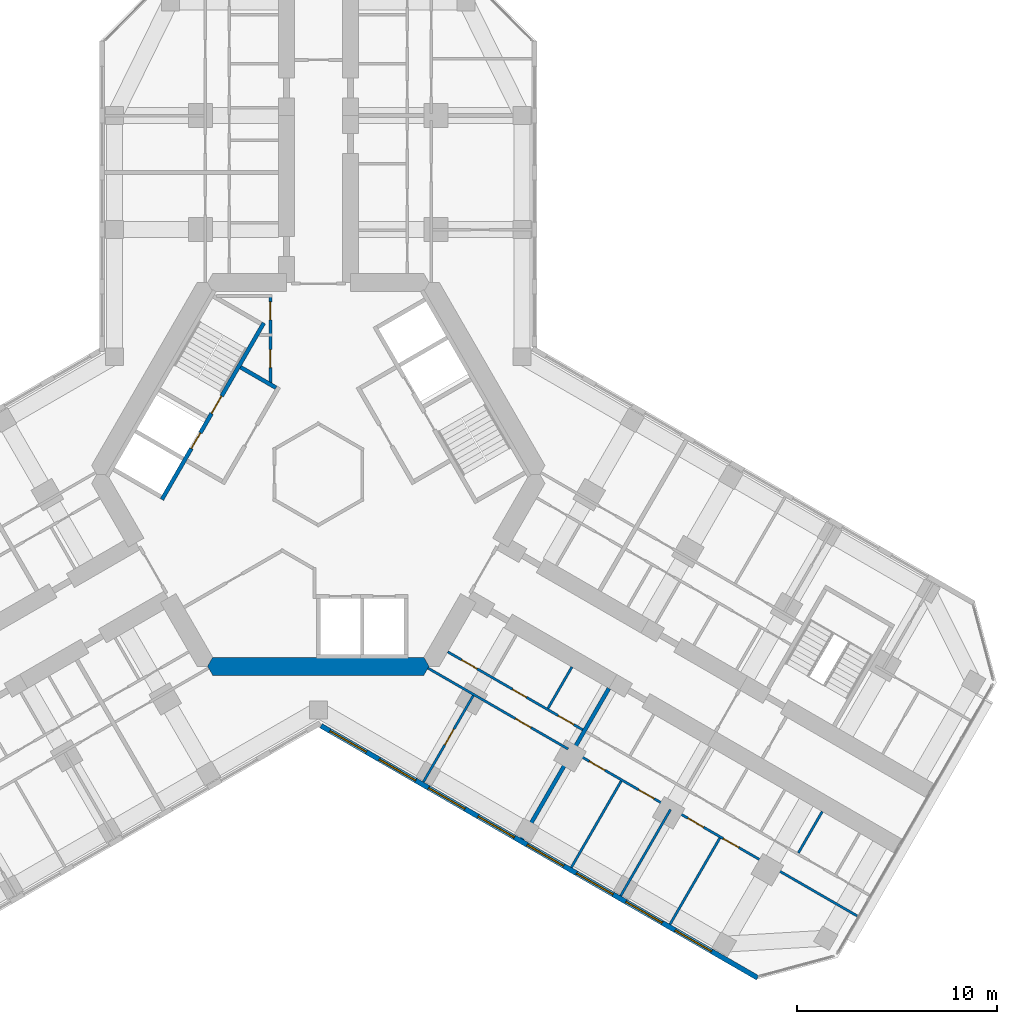
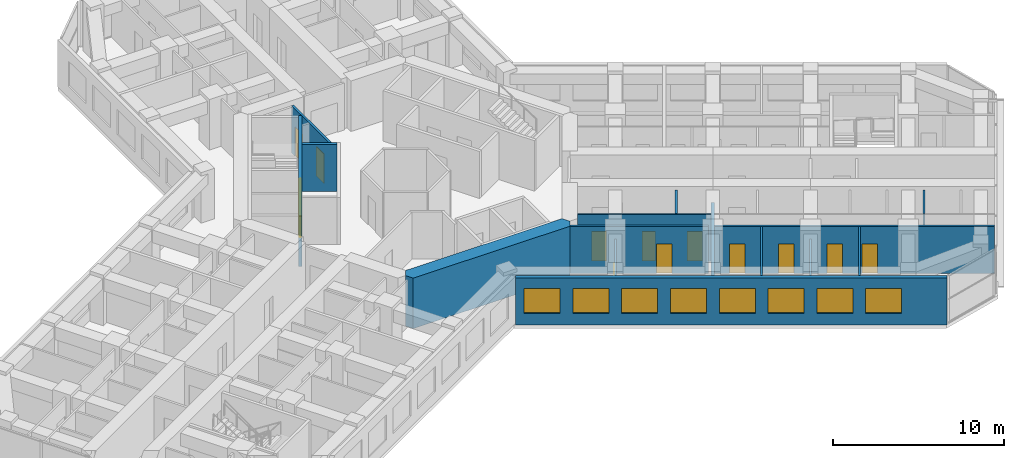
# One storey, part 13 of 19: 15 walls, 13 doors, 8 windows, 21 openings.
"""IFC4 building model written with IfcOpenShell, lengths in metres."""

from ifc_helpers import new_model, si_unit, direction, frame, frame_2d, origin, place, context, subcontext, project, spatial, polyline, rectangle, outline, extrude, material, layer, layer_set, type_object, element, fill, save


model = new_model("IFC4")

# Units and contexts
model_context = context("Model", 3, precision=1e-05, world=origin(), true_north=direction((0.0, 1.0)))
body_context = subcontext(model_context, "Body", "Model", "MODEL_VIEW")
ifc_project = project(units=[si_unit("LENGTHUNIT", "METRE"), si_unit("AREAUNIT", "SQUARE_METRE"), si_unit("VOLUMEUNIT", "CUBIC_METRE"), si_unit("PLANEANGLEUNIT", "RADIAN"), si_unit("MASSUNIT", "GRAM", prefix="KILO")], contexts=[model_context])

# Site, building, storey
site_placement = place(None, origin())
site = spatial("IfcSite", under=ifc_project, at=site_placement, CompositionType="ELEMENT")
building_placement = place(site_placement, origin())
building = spatial("IfcBuilding", under=site, at=building_placement, Name="Kosmar Iwan School Tower", CompositionType="ELEMENT")
storey_placement = place(building_placement, frame((0.0, 0.0, 138.199951171875)))
storey = spatial("IfcBuildingStorey", under=building, at=storey_placement, Name="L34", CompositionType="ELEMENT", Elevation=138.199951171875)

# Wall, openings, doors
ifc_material_1 = material(Name="Gypsum board on steel studs, fire-rated", Category="steel")
ifc_layer_1 = layer(ifc_material_1, 0.14990234375)
ifc_layer_set_1 = layer_set([ifc_layer_1], Name="Core room partition 150")
wall_type_1 = type_object("IfcWallType", Name="Core room partition 150", PredefinedType="PARTITIONING", material=ifc_layer_set_1)
wall_1_placement = place(storey_placement, frame((-2.39990234375, 9.014892578125, 0.0), z_axis=(0.0, 0.0, 1.0), x_axis=(0.0, -1.0, 0.0)))
wall_1 = element("IfcWall", 1, at=wall_1_placement, inside=storey, type_object=wall_type_1, Name="Core room partition L34-CW1", PredefinedType="PARTITIONING", context=body_context, shape_type="SweptSolid", body=[
    extrude(rectangle(XDim=4.484130859375, YDim=0.14990234375, at=frame_2d((2.2421875, 0.0))), origin(), (0.0, 0.0, 1.0), 3.35009765625),
])
opening_1_placement = place(wall_1_placement, frame((0.375, 0.0, 0.0)))
opening_1 = element("IfcOpeningElement", 2, at=opening_1_placement, cuts=wall_1, Name="Opening D14", PredefinedType="OPENING", context=body_context, shape_type="SweptSolid", body=[
    extrude(rectangle(XDim=0.89990234375, YDim=2.10009765625, at=frame_2d((0.449951171875, 1.050048828125))), frame((0.0, 0.0869140625, 0.0), z_axis=(0.0, -1.0, 0.0), x_axis=(1.0, 0.0, 0.0)), (0.0, 0.0, 1.0), 0.173828125),
])
opening_2_placement = place(wall_1_placement, frame((2.77490234375, 0.0, 0.0)))
opening_2 = element("IfcOpeningElement", 3, at=opening_2_placement, cuts=wall_1, Name="Opening D14", PredefinedType="OPENING", context=body_context, shape_type="SweptSolid", body=[
    extrude(rectangle(XDim=0.89990234375, YDim=2.10009765625, at=frame_2d((0.449951171875, 1.050048828125))), frame((0.0, 0.0869140625, 0.0), z_axis=(0.0, -1.0, 0.0), x_axis=(1.0, 0.0, 0.0)), (0.0, 0.0, 1.0), 0.173828125),
])
ifc_material_2 = material(Name="Timber fire door in steel frame", Category="steel")
door_type_1 = type_object("IfcDoorType", Name="Core room door 900x2100", OperationType="SINGLE_SWING_LEFT", PredefinedType="DOOR", material=ifc_material_2)
door_1_placement = place(opening_1_placement, origin())
door_1 = element("IfcDoor", 4, at=door_1_placement, inside=storey, type_object=door_type_1, Name="Electrical riser and switch room door L34 1", OperationType="SINGLE_SWING_LEFT", OverallHeight=2.10009765625, OverallWidth=0.89990234375, PredefinedType="DOOR", context=body_context, shape_type="SweptSolid", body=[
    extrude(rectangle(XDim=0.89990234375, YDim=2.10009765625, at=frame_2d((0.449951171875, 1.050048828125))), frame((0.0, 0.02490234375, 0.0), z_axis=(0.0, -1.0, 0.0), x_axis=(1.0, 0.0, 0.0)), (0.0, 0.0, 1.0), 0.050048828125),
])
fill(opening_1, door_1)
door_2_placement = place(opening_2_placement, origin())
door_2 = element("IfcDoor", 5, at=door_2_placement, inside=storey, type_object=door_type_1, Name="Plumbing and wet riser door L34 2", OperationType="SINGLE_SWING_RIGHT", OverallHeight=2.10009765625, OverallWidth=0.89990234375, PredefinedType="DOOR", context=body_context, shape_type="SweptSolid", body=[
    extrude(rectangle(XDim=0.89990234375, YDim=2.10009765625, at=frame_2d((0.449951171875, 1.050048828125))), frame((0.0, 0.02490234375, 0.0), z_axis=(0.0, -1.0, 0.0), x_axis=(1.0, 0.0, 0.0)), (0.0, 0.0, 1.0), 0.050048828125),
])
fill(opening_2, door_2)

# Wall
ifc_material_3 = material(Name="Concrete C50/60", Category="concrete")
ifc_layer_2 = layer(ifc_material_3, 0.89990234375)
ifc_layer_set_2 = layer_set([ifc_layer_2], Name="Core wall 900")
wall_type_2 = type_object("IfcWallType", Name="Core wall 900", PredefinedType="SHEAR", material=ifc_layer_set_2)
wall_2_placement = place(storey_placement, origin())
element("IfcWall", 6, at=wall_2_placement, inside=storey, type_object=wall_type_2, Name="Core wall F270", PredefinedType="SHEAR", context=body_context, shape_type="SweptSolid", body=[
    extrude(outline(polyline([(-5.28271484375, -10.050048828125), (5.28271484375, -10.050048828125), (5.54248046875, -9.60009765625), (5.28271484375, -9.14990234375), (-5.28271484375, -9.14990234375), (-5.54248046875, -9.60009765625), (-5.28271484375, -10.050048828125)])), origin(), (0.0, 0.0, 1.0), 3.60009765625),
])

# Wall, openings, doors
ifc_material_4 = material(Name="Gypsum board on steel studs", Category="steel")
ifc_layer_3 = layer(ifc_material_4, 0.1201171875)
ifc_layer_set_3 = layer_set([ifc_layer_3], Name="Dwelling partition 120")
wall_type_3 = type_object("IfcWallType", Name="Dwelling partition 120", PredefinedType="PARTITIONING", material=ifc_layer_set_3)
wall_3_placement = place(storey_placement, frame((6.478515625, -8.87890625, 0.0), z_axis=(0.0, 0.0, 1.0), x_axis=(0.866034953203, -0.499983459557, 0.0)))
wall_3 = element("IfcWall", 7, at=wall_3_placement, inside=storey, type_object=wall_type_3, Name="Partition L34-CR1-W1", PredefinedType="PARTITIONING", context=body_context, shape_type="SweptSolid", body=[
    extrude(rectangle(XDim=7.800048828125, YDim=0.1201171875, at=frame_2d((3.89990234375, 0.0))), origin(), (0.0, 0.0, 1.0), 3.35009765625),
])
opening_3_placement = place(wall_3_placement, frame((0.800048828125, 0.0, 0.0)))
opening_3 = element("IfcOpeningElement", 8, at=opening_3_placement, cuts=wall_3, Name="Opening D2", PredefinedType="OPENING", context=body_context, shape_type="SweptSolid", body=[
    extrude(rectangle(XDim=0.89990234375, YDim=2.10009765625, at=frame_2d((0.449951171875, 1.050048828125))), frame((0.0, 0.072021484375, 0.0), z_axis=(0.0, -1.0, 0.0), x_axis=(1.0, 0.0, 0.0)), (0.0, 0.0, 1.0), 0.14404296875),
])
opening_4_placement = place(wall_3_placement, frame((3.755126953125, 0.0, 0.0)))
opening_4 = element("IfcOpeningElement", 9, at=opening_4_placement, cuts=wall_3, Name="Opening D3", PredefinedType="OPENING", context=body_context, shape_type="SweptSolid", body=[
    extrude(rectangle(XDim=0.800048828125, YDim=2.10009765625, at=frame_2d((0.39990234375, 1.050048828125))), frame((0.0, 0.072021484375, 0.0), z_axis=(0.0, -1.0, 0.0), x_axis=(1.0, 0.0, 0.0)), (0.0, 0.0, 1.0), 0.14404296875),
])
opening_5_placement = place(wall_3_placement, frame((6.380126953125, 0.0, 0.0)))
opening_5 = element("IfcOpeningElement", 10, at=opening_5_placement, cuts=wall_3, Name="Opening D2", PredefinedType="OPENING", context=body_context, shape_type="SweptSolid", body=[
    extrude(rectangle(XDim=0.89990234375, YDim=2.10009765625, at=frame_2d((0.449951171875, 1.050048828125))), frame((0.0, 0.072021484375, 0.0), z_axis=(0.0, -1.0, 0.0), x_axis=(1.0, 0.0, 0.0)), (0.0, 0.0, 1.0), 0.14404296875),
])
ifc_material_5 = material(Name="Timber door in timber frame", Category="wood")
door_type_2 = type_object("IfcDoorType", Name="Internal door 900x2100", OperationType="SINGLE_SWING_LEFT", PredefinedType="DOOR", material=ifc_material_5)
door_3_placement = place(opening_3_placement, origin())
door_3 = element("IfcDoor", 11, at=door_3_placement, inside=storey, type_object=door_type_2, Name="Entrance hall door L34-CR1-S1", OperationType="SINGLE_SWING_LEFT", OverallHeight=2.10009765625, OverallWidth=0.89990234375, PredefinedType="DOOR", context=body_context, shape_type="SweptSolid", body=[
    extrude(rectangle(XDim=0.89990234375, YDim=2.10009765625, at=frame_2d((0.449951171875, 1.050048828125))), frame((0.0, 0.02490234375, 0.0), z_axis=(0.0, -1.0, 0.0), x_axis=(1.0, 0.0, 0.0)), (0.0, 0.0, 1.0), 0.050048828125),
])
fill(opening_3, door_3)
door_4_placement = place(opening_5_placement, origin())
door_4 = element("IfcDoor", 12, at=door_4_placement, inside=storey, type_object=door_type_2, Name="Pantry door L34-CR1-S3", OperationType="SINGLE_SWING_RIGHT", OverallHeight=2.10009765625, OverallWidth=0.89990234375, PredefinedType="DOOR", context=body_context, shape_type="SweptSolid", body=[
    extrude(rectangle(XDim=0.89990234375, YDim=2.10009765625, at=frame_2d((0.449951171875, 1.050048828125))), frame((0.0, 0.02490234375, 0.0), z_axis=(0.0, -1.0, 0.0), x_axis=(1.0, 0.0, 0.0)), (0.0, 0.0, 1.0), 0.050048828125),
])
fill(opening_5, door_4)
ifc_material_6 = material(Name="Timber door in timber frame", Category="wood")
door_type_3 = type_object("IfcDoorType", Name="Sanitary room door 800x2100", OperationType="SINGLE_SWING_LEFT", PredefinedType="DOOR", material=ifc_material_6)
door_5_placement = place(opening_4_placement, origin())
door_5 = element("IfcDoor", 13, at=door_5_placement, inside=storey, type_object=door_type_3, Name="Bathroom door L34-CR1-S2", OperationType="SINGLE_SWING_RIGHT", OverallHeight=2.10009765625, OverallWidth=0.800048828125, PredefinedType="DOOR", context=body_context, shape_type="SweptSolid", body=[
    extrude(rectangle(XDim=0.800048828125, YDim=2.10009765625, at=frame_2d((0.39990234375, 1.050048828125))), frame((0.0, 0.02490234375, 0.0), z_axis=(0.0, -1.0, 0.0), x_axis=(1.0, 0.0, 0.0)), (0.0, 0.0, 1.0), 0.050048828125),
])
fill(opening_4, door_5)

# Wall, opening, door
wall_4_placement = place(storey_placement, frame((5.48876953125, -9.693115234375, 0.0), z_axis=(0.0, 0.0, 1.0), x_axis=(0.866025472755, -0.499999880539, 0.0)))
wall_4 = element("IfcWall", 14, at=wall_4_placement, inside=storey, type_object=wall_type_3, Name="Partition L34-CR1-W2", PredefinedType="PARTITIONING", context=body_context, shape_type="SweptSolid", body=[
    extrude(rectangle(XDim=8.10009765625, YDim=0.1201171875, at=frame_2d((4.050048828125, 0.0))), origin(), (0.0, 0.0, 1.0), 3.35009765625),
])
opening_6_placement = place(wall_4_placement, frame((5.050048828125, 0.0, 0.0)))
opening_6 = element("IfcOpeningElement", 15, at=opening_6_placement, cuts=wall_4, Name="Opening D2", PredefinedType="OPENING", context=body_context, shape_type="SweptSolid", body=[
    extrude(rectangle(XDim=0.89990234375, YDim=2.10009765625, at=frame_2d((0.449951171875, 1.050048828125))), frame((0.0, 0.072021484375, 0.0), z_axis=(0.0, -1.0, 0.0), x_axis=(1.0, 0.0, 0.0)), (0.0, 0.0, 1.0), 0.14404296875),
])
door_6_placement = place(opening_6_placement, origin())
door_6 = element("IfcDoor", 16, at=door_6_placement, inside=storey, type_object=door_type_2, Name="Studio living room door L34-CR1-F2", OperationType="SINGLE_SWING_RIGHT", OverallHeight=2.10009765625, OverallWidth=0.89990234375, PredefinedType="DOOR", context=body_context, shape_type="SweptSolid", body=[
    extrude(rectangle(XDim=0.89990234375, YDim=2.10009765625, at=frame_2d((0.449951171875, 1.050048828125))), frame((0.0, 0.02490234375, 0.0), z_axis=(0.0, -1.0, 0.0), x_axis=(1.0, 0.0, 0.0)), (0.0, 0.0, 1.0), 0.050048828125),
])
fill(opening_6, door_6)

wall_5_placement = place(storey_placement, frame((7.75390625, -11.070068359375, 0.0), z_axis=(0.0, 0.0, 1.0), x_axis=(-0.500011847778, -0.866018563358, 0.0)))
wall_5 = element("IfcWall", 17, at=wall_5_placement, inside=storey, type_object=wall_type_3, Name="Partition L34-CR1-X1", PredefinedType="PARTITIONING", context=body_context, shape_type="SweptSolid", body=[
    extrude(rectangle(XDim=4.990234375, YDim=0.1201171875, at=frame_2d((2.4951171875, 0.0))), origin(), (0.0, 0.0, 1.0), 2.449951171875),
])
opening_7_placement = place(wall_5_placement, frame((1.93994140625, 0.0, 0.0)))
opening_7 = element("IfcOpeningElement", 18, at=opening_7_placement, cuts=wall_5, Name="Opening D2", PredefinedType="OPENING", context=body_context, shape_type="SweptSolid", body=[
    extrude(rectangle(XDim=0.89990234375, YDim=2.10009765625, at=frame_2d((0.449951171875, 1.050048828125))), frame((0.0, 0.072021484375, 0.0), z_axis=(0.0, -1.0, 0.0), x_axis=(1.0, 0.0, 0.0)), (0.0, 0.0, 1.0), 0.14404296875),
])
door_7_placement = place(opening_7_placement, origin())
door_7 = element("IfcDoor", 19, at=door_7_placement, inside=storey, type_object=door_type_2, Name="Kitchen and dining room door L34-CR1-F1", OperationType="SINGLE_SWING_LEFT", OverallHeight=2.10009765625, OverallWidth=0.89990234375, PredefinedType="DOOR", context=body_context, shape_type="SweptSolid", body=[
    extrude(rectangle(XDim=0.89990234375, YDim=2.10009765625, at=frame_2d((0.449951171875, 1.050048828125))), frame((0.0, 0.02490234375, 0.0), z_axis=(0.0, -1.0, 0.0), x_axis=(1.0, 0.0, 0.0)), (0.0, 0.0, 1.0), 0.050048828125),
])
fill(opening_7, door_7)

# Wall
wall_6_placement = place(storey_placement, frame((12.69189453125, -9.636962890625, 0.0), z_axis=(0.0, 0.0, 1.0), x_axis=(-0.500017192868, -0.86601547725, 0.0)))
element("IfcWall", 20, at=wall_6_placement, inside=storey, type_object=wall_type_3, Name="Partition L34-CR1-Y2", PredefinedType="PARTITIONING", context=body_context, shape_type="SweptSolid", body=[
    extrude(rectangle(XDim=2.39013671875, YDim=0.1201171875, at=frame_2d((1.195068359375, 0.0))), origin(), (0.0, 0.0, 1.0), 3.35009765625),
])

# Wall, openings, doors
wall_7_placement = place(storey_placement, frame((12.806640625, -13.91796875, 0.0), z_axis=(0.0, 0.0, 1.0), x_axis=(0.866023907196, -0.500002592159, 0.0)))
wall_7 = element("IfcWall", 21, at=wall_7_placement, inside=storey, type_object=wall_type_3, Name="Partition L34-CR2-W2", PredefinedType="PARTITIONING", context=body_context, shape_type="SweptSolid", body=[
    extrude(rectangle(XDim=16.34521484375, YDim=0.1201171875, at=frame_2d((8.172607421875, 0.0))), origin(), (0.0, 0.0, 1.0), 3.35009765625),
])
opening_8_placement = place(wall_7_placement, frame((0.875, 0.0, 0.0)))
opening_8 = element("IfcOpeningElement", 22, at=opening_8_placement, cuts=wall_7, Name="Opening D2", PredefinedType="OPENING", context=body_context, shape_type="SweptSolid", body=[
    extrude(rectangle(XDim=0.89990234375, YDim=2.10009765625, at=frame_2d((0.449951171875, 1.050048828125))), frame((0.0, 0.072021484375, 0.0), z_axis=(0.0, -1.0, 0.0), x_axis=(1.0, 0.0, 0.0)), (0.0, 0.0, 1.0), 0.14404296875),
])
opening_9_placement = place(wall_7_placement, frame((3.72509765625, 0.0, 0.0)))
opening_9 = element("IfcOpeningElement", 23, at=opening_9_placement, cuts=wall_7, Name="Opening D2", PredefinedType="OPENING", context=body_context, shape_type="SweptSolid", body=[
    extrude(rectangle(XDim=0.89990234375, YDim=2.10009765625, at=frame_2d((0.449951171875, 1.050048828125))), frame((0.0, 0.072021484375, 0.0), z_axis=(0.0, -1.0, 0.0), x_axis=(1.0, 0.0, 0.0)), (0.0, 0.0, 1.0), 0.14404296875),
])
opening_10_placement = place(wall_7_placement, frame((6.574951171875, 0.0, 0.0)))
opening_10 = element("IfcOpeningElement", 24, at=opening_10_placement, cuts=wall_7, Name="Opening D2", PredefinedType="OPENING", context=body_context, shape_type="SweptSolid", body=[
    extrude(rectangle(XDim=0.89990234375, YDim=2.10009765625, at=frame_2d((0.449951171875, 1.050048828125))), frame((0.0, 0.072021484375, 0.0), z_axis=(0.0, -1.0, 0.0), x_axis=(1.0, 0.0, 0.0)), (0.0, 0.0, 1.0), 0.14404296875),
])
opening_11_placement = place(wall_7_placement, frame((8.610107421875, 0.0, 0.0)))
opening_11 = element("IfcOpeningElement", 25, at=opening_11_placement, cuts=wall_7, Name="Opening D2", PredefinedType="OPENING", context=body_context, shape_type="SweptSolid", body=[
    extrude(rectangle(XDim=0.89990234375, YDim=2.10009765625, at=frame_2d((0.449951171875, 1.050048828125))), frame((0.0, 0.072021484375, 0.0), z_axis=(0.0, -1.0, 0.0), x_axis=(1.0, 0.0, 0.0)), (0.0, 0.0, 1.0), 0.14404296875),
])
door_8_placement = place(opening_8_placement, origin())
door_8 = element("IfcDoor", 26, at=door_8_placement, inside=storey, type_object=door_type_2, Name="Bedroom 1 door L34-CR2-F1", OperationType="SINGLE_SWING_LEFT", OverallHeight=2.10009765625, OverallWidth=0.89990234375, PredefinedType="DOOR", context=body_context, shape_type="SweptSolid", body=[
    extrude(rectangle(XDim=0.89990234375, YDim=2.10009765625, at=frame_2d((0.449951171875, 1.050048828125))), frame((0.0, 0.02490234375, 0.0), z_axis=(0.0, -1.0, 0.0), x_axis=(1.0, 0.0, 0.0)), (0.0, 0.0, 1.0), 0.050048828125),
])
fill(opening_8, door_8)
door_9_placement = place(opening_9_placement, origin())
door_9 = element("IfcDoor", 27, at=door_9_placement, inside=storey, type_object=door_type_2, Name="Kitchen and dining room door L34-CR2-F2", OperationType="SINGLE_SWING_LEFT", OverallHeight=2.10009765625, OverallWidth=0.89990234375, PredefinedType="DOOR", context=body_context, shape_type="SweptSolid", body=[
    extrude(rectangle(XDim=0.89990234375, YDim=2.10009765625, at=frame_2d((0.449951171875, 1.050048828125))), frame((0.0, 0.02490234375, 0.0), z_axis=(0.0, -1.0, 0.0), x_axis=(1.0, 0.0, 0.0)), (0.0, 0.0, 1.0), 0.050048828125),
])
fill(opening_9, door_9)
door_10_placement = place(opening_10_placement, origin())
door_10 = element("IfcDoor", 28, at=door_10_placement, inside=storey, type_object=door_type_2, Name="Guest reception room door L34-CR2-F3", OperationType="SINGLE_SWING_LEFT", OverallHeight=2.10009765625, OverallWidth=0.89990234375, PredefinedType="DOOR", context=body_context, shape_type="SweptSolid", body=[
    extrude(rectangle(XDim=0.89990234375, YDim=2.10009765625, at=frame_2d((0.449951171875, 1.050048828125))), frame((0.0, 0.02490234375, 0.0), z_axis=(0.0, -1.0, 0.0), x_axis=(1.0, 0.0, 0.0)), (0.0, 0.0, 1.0), 0.050048828125),
])
fill(opening_10, door_10)
door_11_placement = place(opening_11_placement, origin())
door_11 = element("IfcDoor", 29, at=door_11_placement, inside=storey, type_object=door_type_2, Name="Living room door L34-CR2-F4", OperationType="SINGLE_SWING_RIGHT", OverallHeight=2.10009765625, OverallWidth=0.89990234375, PredefinedType="DOOR", context=body_context, shape_type="SweptSolid", body=[
    extrude(rectangle(XDim=0.89990234375, YDim=2.10009765625, at=frame_2d((0.449951171875, 1.050048828125))), frame((0.0, 0.02490234375, 0.0), z_axis=(0.0, -1.0, 0.0), x_axis=(1.0, 0.0, 0.0)), (0.0, 0.0, 1.0), 0.050048828125),
])
fill(opening_11, door_11)

# Walls
wall_8_placement = place(storey_placement, frame((15.158447265625, -15.344970703125, 0.0), z_axis=(0.0, 0.0, 1.0), x_axis=(-0.500011847778, -0.866018563358, 0.0)))
element("IfcWall", 30, at=wall_8_placement, inside=storey, type_object=wall_type_3, Name="Partition L34-CR2-X1", PredefinedType="PARTITIONING", context=body_context, shape_type="SweptSolid", body=[
    extrude(rectangle(XDim=4.990234375, YDim=0.1201171875, at=frame_2d((2.4951171875, 0.0))), origin(), (0.0, 0.0, 1.0), 3.35009765625),
])
wall_9_placement = place(storey_placement, frame((17.62646484375, -16.77001953125, 0.0), z_axis=(0.0, 0.0, 1.0), x_axis=(-0.499975153383, -0.86603974851, 0.0)))
element("IfcWall", 31, at=wall_9_placement, inside=storey, type_object=wall_type_3, Name="Partition L34-CR2-X2", PredefinedType="PARTITIONING", context=body_context, shape_type="SweptSolid", body=[
    extrude(rectangle(XDim=4.989990234375, YDim=0.1201171875, at=frame_2d((2.4951171875, 0.0))), origin(), (0.0, 0.0, 1.0), 2.449951171875),
])
wall_10_placement = place(storey_placement, frame((20.0947265625, -18.195068359375, 0.0), z_axis=(0.0, 0.0, 1.0), x_axis=(-0.500011847778, -0.866018563358, 0.0)))
element("IfcWall", 32, at=wall_10_placement, inside=storey, type_object=wall_type_3, Name="Partition L34-CR2-X3", PredefinedType="PARTITIONING", context=body_context, shape_type="SweptSolid", body=[
    extrude(rectangle(XDim=4.990234375, YDim=0.1201171875, at=frame_2d((2.4951171875, 0.0))), origin(), (0.0, 0.0, 1.0), 3.35009765625),
])
wall_11_placement = place(storey_placement, frame((25.220703125, -16.87060546875, 0.0), z_axis=(0.0, 0.0, 1.0), x_axis=(-0.500017192868, -0.86601547725, 0.0)))
element("IfcWall", 33, at=wall_11_placement, inside=storey, type_object=wall_type_3, Name="Partition L34-CR2-Y5", PredefinedType="PARTITIONING", context=body_context, shape_type="SweptSolid", body=[
    extrude(rectangle(XDim=2.39013671875, YDim=0.1201171875, at=frame_2d((1.195068359375, 0.0))), origin(), (0.0, 0.0, 1.0), 3.35009765625),
])

# Wall, openings, windows
ifc_material_7 = material(Name="Black aluminium rainscreen on insulated framing", Category="aluminium")
ifc_layer_4 = layer(ifc_material_7, 0.25)
ifc_layer_set_4 = layer_set([ifc_layer_4], Name="External wall rainscreen 250")
wall_type_4 = type_object("IfcWallType", Name="External wall rainscreen 250", PredefinedType="SOLIDWALL", material=ifc_layer_set_4)
wall_12_placement = place(storey_placement, frame((0.137939453125, -12.5791015625, 0.0), z_axis=(0.0, 0.0, 1.0), x_axis=(0.866023775649, -0.500002820003, 0.0)))
wall_12 = element("IfcWall", 34, at=wall_12_placement, inside=storey, type_object=wall_type_4, Name="External wall CR L34", PredefinedType="SOLIDWALL", context=body_context, shape_type="SweptSolid", body=[
    extrude(rectangle(XDim=25.226318359375, YDim=0.25, at=frame_2d((12.61328125, 0.0))), origin(), (0.0, 0.0, 1.0), 3.35009765625),
])
opening_12_placement = place(wall_12_placement, frame((0.51611328125, 0.0, 0.800048828125)))
opening_12 = element("IfcOpeningElement", 35, at=opening_12_placement, cuts=wall_12, Name="Opening W4", PredefinedType="OPENING", context=body_context, shape_type="SweptSolid", body=[
    extrude(rectangle(XDim=2.10009765625, YDim=1.800048828125, at=frame_2d((1.050048828125, 0.89990234375))), frame((0.0, 0.136962890625, 0.0), z_axis=(0.0, -1.0, 0.0), x_axis=(1.0, 0.0, 0.0)), (0.0, 0.0, 1.0), 0.27392578125),
])
opening_13_placement = place(wall_12_placement, frame((3.365966796875, 0.0, 0.800048828125)))
opening_13 = element("IfcOpeningElement", 36, at=opening_13_placement, cuts=wall_12, Name="Opening W4", PredefinedType="OPENING", context=body_context, shape_type="SweptSolid", body=[
    extrude(rectangle(XDim=2.10009765625, YDim=1.800048828125, at=frame_2d((1.050048828125, 0.89990234375))), frame((0.0, 0.136962890625, 0.0), z_axis=(0.0, -1.0, 0.0), x_axis=(1.0, 0.0, 0.0)), (0.0, 0.0, 1.0), 0.27392578125),
])
opening_14_placement = place(wall_12_placement, frame((6.216064453125, 0.0, 0.800048828125)))
opening_14 = element("IfcOpeningElement", 37, at=opening_14_placement, cuts=wall_12, Name="Opening W4", PredefinedType="OPENING", context=body_context, shape_type="SweptSolid", body=[
    extrude(rectangle(XDim=2.10009765625, YDim=1.800048828125, at=frame_2d((1.050048828125, 0.89990234375))), frame((0.0, 0.136962890625, 0.0), z_axis=(0.0, -1.0, 0.0), x_axis=(1.0, 0.0, 0.0)), (0.0, 0.0, 1.0), 0.27392578125),
])
opening_15_placement = place(wall_12_placement, frame((9.06591796875, 0.0, 0.800048828125)))
opening_15 = element("IfcOpeningElement", 38, at=opening_15_placement, cuts=wall_12, Name="Opening W4", PredefinedType="OPENING", context=body_context, shape_type="SweptSolid", body=[
    extrude(rectangle(XDim=2.10009765625, YDim=1.800048828125, at=frame_2d((1.050048828125, 0.89990234375))), frame((0.0, 0.136962890625, 0.0), z_axis=(0.0, -1.0, 0.0), x_axis=(1.0, 0.0, 0.0)), (0.0, 0.0, 1.0), 0.27392578125),
])
opening_16_placement = place(wall_12_placement, frame((11.916015625, 0.0, 0.800048828125)))
opening_16 = element("IfcOpeningElement", 39, at=opening_16_placement, cuts=wall_12, Name="Opening W4", PredefinedType="OPENING", context=body_context, shape_type="SweptSolid", body=[
    extrude(rectangle(XDim=2.10009765625, YDim=1.800048828125, at=frame_2d((1.050048828125, 0.89990234375))), frame((0.0, 0.136962890625, 0.0), z_axis=(0.0, -1.0, 0.0), x_axis=(1.0, 0.0, 0.0)), (0.0, 0.0, 1.0), 0.27392578125),
])
opening_17_placement = place(wall_12_placement, frame((14.76611328125, 0.0, 0.800048828125)))
opening_17 = element("IfcOpeningElement", 40, at=opening_17_placement, cuts=wall_12, Name="Opening W4", PredefinedType="OPENING", context=body_context, shape_type="SweptSolid", body=[
    extrude(rectangle(XDim=2.10009765625, YDim=1.800048828125, at=frame_2d((1.050048828125, 0.89990234375))), frame((0.0, 0.136962890625, 0.0), z_axis=(0.0, -1.0, 0.0), x_axis=(1.0, 0.0, 0.0)), (0.0, 0.0, 1.0), 0.27392578125),
])
opening_18_placement = place(wall_12_placement, frame((17.615966796875, 0.0, 0.800048828125)))
opening_18 = element("IfcOpeningElement", 41, at=opening_18_placement, cuts=wall_12, Name="Opening W4", PredefinedType="OPENING", context=body_context, shape_type="SweptSolid", body=[
    extrude(rectangle(XDim=2.10009765625, YDim=1.800048828125, at=frame_2d((1.050048828125, 0.89990234375))), frame((0.0, 0.136962890625, 0.0), z_axis=(0.0, -1.0, 0.0), x_axis=(1.0, 0.0, 0.0)), (0.0, 0.0, 1.0), 0.27392578125),
])
opening_19_placement = place(wall_12_placement, frame((20.466064453125, 0.0, 0.800048828125)))
opening_19 = element("IfcOpeningElement", 42, at=opening_19_placement, cuts=wall_12, Name="Opening W4", PredefinedType="OPENING", context=body_context, shape_type="SweptSolid", body=[
    extrude(rectangle(XDim=2.10009765625, YDim=1.800048828125, at=frame_2d((1.050048828125, 0.89990234375))), frame((0.0, 0.136962890625, 0.0), z_axis=(0.0, -1.0, 0.0), x_axis=(1.0, 0.0, 0.0)), (0.0, 0.0, 1.0), 0.27392578125),
])
ifc_material_8 = material(Name="Black aluminium frame with dark triple glazing", Category="aluminium")
window_type = type_object("IfcWindowType", Name="Window 2100x1800", PartitioningType="SINGLE_PANEL", PredefinedType="WINDOW", material=ifc_material_8)
window_1_placement = place(opening_12_placement, origin())
window_1 = element("IfcWindow", 43, at=window_1_placement, inside=storey, type_object=window_type, Name="Window CR L34 -1", OverallHeight=1.800048828125, OverallWidth=2.10009765625, PartitioningType="SINGLE_PANEL", PredefinedType="WINDOW", context=body_context, shape_type="SweptSolid", body=[
    extrude(rectangle(XDim=2.10009765625, YDim=1.800048828125, at=frame_2d((1.050048828125, 0.89990234375))), frame((0.0, 0.030029296875, 0.0), z_axis=(0.0, -1.0, 0.0), x_axis=(1.0, 0.0, 0.0)), (0.0, 0.0, 1.0), 0.06005859375),
])
fill(opening_12, window_1)
window_2_placement = place(opening_13_placement, origin())
window_2 = element("IfcWindow", 44, at=window_2_placement, inside=storey, type_object=window_type, Name="Window CR L34 0", OverallHeight=1.800048828125, OverallWidth=2.10009765625, PartitioningType="SINGLE_PANEL", PredefinedType="WINDOW", context=body_context, shape_type="SweptSolid", body=[
    extrude(rectangle(XDim=2.10009765625, YDim=1.800048828125, at=frame_2d((1.050048828125, 0.89990234375))), frame((0.0, 0.030029296875, 0.0), z_axis=(0.0, -1.0, 0.0), x_axis=(1.0, 0.0, 0.0)), (0.0, 0.0, 1.0), 0.06005859375),
])
fill(opening_13, window_2)
window_3_placement = place(opening_14_placement, origin())
window_3 = element("IfcWindow", 45, at=window_3_placement, inside=storey, type_object=window_type, Name="Window CR L34 1", OverallHeight=1.800048828125, OverallWidth=2.10009765625, PartitioningType="SINGLE_PANEL", PredefinedType="WINDOW", context=body_context, shape_type="SweptSolid", body=[
    extrude(rectangle(XDim=2.10009765625, YDim=1.800048828125, at=frame_2d((1.050048828125, 0.89990234375))), frame((0.0, 0.030029296875, 0.0), z_axis=(0.0, -1.0, 0.0), x_axis=(1.0, 0.0, 0.0)), (0.0, 0.0, 1.0), 0.06005859375),
])
fill(opening_14, window_3)
window_4_placement = place(opening_15_placement, origin())
window_4 = element("IfcWindow", 46, at=window_4_placement, inside=storey, type_object=window_type, Name="Window CR L34 2", OverallHeight=1.800048828125, OverallWidth=2.10009765625, PartitioningType="SINGLE_PANEL", PredefinedType="WINDOW", context=body_context, shape_type="SweptSolid", body=[
    extrude(rectangle(XDim=2.10009765625, YDim=1.800048828125, at=frame_2d((1.050048828125, 0.89990234375))), frame((0.0, 0.030029296875, 0.0), z_axis=(0.0, -1.0, 0.0), x_axis=(1.0, 0.0, 0.0)), (0.0, 0.0, 1.0), 0.06005859375),
])
fill(opening_15, window_4)
window_5_placement = place(opening_16_placement, origin())
window_5 = element("IfcWindow", 47, at=window_5_placement, inside=storey, type_object=window_type, Name="Window CR L34 3", OverallHeight=1.800048828125, OverallWidth=2.10009765625, PartitioningType="SINGLE_PANEL", PredefinedType="WINDOW", context=body_context, shape_type="SweptSolid", body=[
    extrude(rectangle(XDim=2.10009765625, YDim=1.800048828125, at=frame_2d((1.050048828125, 0.89990234375))), frame((0.0, 0.030029296875, 0.0), z_axis=(0.0, -1.0, 0.0), x_axis=(1.0, 0.0, 0.0)), (0.0, 0.0, 1.0), 0.06005859375),
])
fill(opening_16, window_5)
window_6_placement = place(opening_17_placement, origin())
window_6 = element("IfcWindow", 48, at=window_6_placement, inside=storey, type_object=window_type, Name="Window CR L34 4", OverallHeight=1.800048828125, OverallWidth=2.10009765625, PartitioningType="SINGLE_PANEL", PredefinedType="WINDOW", context=body_context, shape_type="SweptSolid", body=[
    extrude(rectangle(XDim=2.10009765625, YDim=1.800048828125, at=frame_2d((1.050048828125, 0.89990234375))), frame((0.0, 0.030029296875, 0.0), z_axis=(0.0, -1.0, 0.0), x_axis=(1.0, 0.0, 0.0)), (0.0, 0.0, 1.0), 0.06005859375),
])
fill(opening_17, window_6)
window_7_placement = place(opening_18_placement, origin())
window_7 = element("IfcWindow", 49, at=window_7_placement, inside=storey, type_object=window_type, Name="Window CR L34 5", OverallHeight=1.800048828125, OverallWidth=2.10009765625, PartitioningType="SINGLE_PANEL", PredefinedType="WINDOW", context=body_context, shape_type="SweptSolid", body=[
    extrude(rectangle(XDim=2.10009765625, YDim=1.800048828125, at=frame_2d((1.050048828125, 0.89990234375))), frame((0.0, 0.030029296875, 0.0), z_axis=(0.0, -1.0, 0.0), x_axis=(1.0, 0.0, 0.0)), (0.0, 0.0, 1.0), 0.06005859375),
])
fill(opening_18, window_7)
window_8_placement = place(opening_19_placement, origin())
window_8 = element("IfcWindow", 50, at=window_8_placement, inside=storey, type_object=window_type, Name="Window CR L34 6", OverallHeight=1.800048828125, OverallWidth=2.10009765625, PartitioningType="SINGLE_PANEL", PredefinedType="WINDOW", context=body_context, shape_type="SweptSolid", body=[
    extrude(rectangle(XDim=2.10009765625, YDim=1.800048828125, at=frame_2d((1.050048828125, 0.89990234375))), frame((0.0, 0.030029296875, 0.0), z_axis=(0.0, -1.0, 0.0), x_axis=(1.0, 0.0, 0.0)), (0.0, 0.0, 1.0), 0.06005859375),
])
fill(opening_19, window_8)

# Wall
ifc_material_9 = material(Name="Concrete block masonry", Category="masonry")
ifc_layer_5 = layer(ifc_material_9, 0.199951171875)
ifc_layer_set_5 = layer_set([ifc_layer_5], Name="Fire lobby wall 200")
wall_type_5 = type_object("IfcWallType", Name="Fire lobby wall 200", PredefinedType="PARTITIONING", material=ifc_layer_set_5)
wall_13_placement = place(storey_placement, frame((-2.114013671875, 4.33837890625, 0.0), z_axis=(0.0, 0.0, 1.0), x_axis=(-0.866050731258, 0.499956128963, 0.0)))
element("IfcWall", 51, at=wall_13_placement, inside=storey, type_object=wall_type_5, Name="Firefighting lobby wall ST2", PredefinedType="PARTITIONING", context=body_context, shape_type="SweptSolid", body=[
    extrude(rectangle(XDim=2.050048828125, YDim=0.199951171875, at=frame_2d((1.02490234375, 0.0))), origin(), (0.0, 0.0, 1.0), 3.35009765625),
])

# Wall, openings, doors
ifc_material_10 = material(Name="Concrete C50/60", Category="concrete")
ifc_layer_6 = layer(ifc_material_10, 0.199951171875)
ifc_layer_set_6 = layer_set([ifc_layer_6], Name="Lift shaft wall 200")
wall_type_6 = type_object("IfcWallType", Name="Lift shaft wall 200", PredefinedType="SHEAR", material=ifc_layer_set_6)
wall_14_placement = place(storey_placement, frame((-2.72607421875, 7.578369140625, 0.0), z_axis=(0.0, 0.0, 1.0), x_axis=(-0.500005610874, -0.86602216432, 0.0)))
wall_14 = element("IfcWall", 52, at=wall_14_placement, inside=storey, type_object=wall_type_6, Name="Lift and stair front wall AB", PredefinedType="SHEAR", context=body_context, shape_type="SweptSolid", body=[
    extrude(rectangle(XDim=10.2001953125, YDim=0.199951171875, at=frame_2d((5.10009765625, 0.0))), origin(), (0.0, 0.0, 1.0), 3.60009765625),
])
opening_20_placement = place(wall_14_placement, frame((6.35009765625, 0.0, 0.0)))
opening_20 = element("IfcOpeningElement", 53, at=opening_20_placement, cuts=wall_14, Name="Opening LD2", PredefinedType="OPENING", context=body_context, shape_type="SweptSolid", body=[
    extrude(rectangle(XDim=0.89990234375, YDim=2.10009765625, at=frame_2d((0.449951171875, 1.050048828125))), frame((0.0, 0.112060546875, 0.0), z_axis=(0.0, -1.0, 0.0), x_axis=(1.0, 0.0, 0.0)), (0.0, 0.0, 1.0), 0.223876953125),
])
opening_21_placement = place(wall_14_placement, frame((4.22998046875, 0.0, 0.0)))
opening_21 = element("IfcOpeningElement", 54, at=opening_21_placement, cuts=wall_14, Name="Opening D6", PredefinedType="OPENING", context=body_context, shape_type="SweptSolid", body=[
    extrude(rectangle(XDim=1.0, YDim=2.10009765625, at=frame_2d((0.5, 1.050048828125))), frame((0.0, 0.112060546875, 0.0), z_axis=(0.0, -1.0, 0.0), x_axis=(1.0, 0.0, 0.0)), (0.0, 0.0, 1.0), 0.223876953125),
])
ifc_material_11 = material(Name="Stainless steel sliding lift door", Category="steel")
door_type_4 = type_object("IfcDoorType", Name="Firefighting lift landing door 900x2100", OperationType="SLIDING_TO_LEFT", PredefinedType="DOOR", material=ifc_material_11)
door_12_placement = place(opening_20_placement, origin())
door_12 = element("IfcDoor", 55, at=door_12_placement, inside=storey, type_object=door_type_4, Name="Lift FF2 landing door L34", OperationType="SLIDING_TO_LEFT", OverallHeight=2.10009765625, OverallWidth=0.89990234375, PredefinedType="DOOR", context=body_context, shape_type="SweptSolid", body=[
    extrude(rectangle(XDim=0.89990234375, YDim=2.10009765625, at=frame_2d((0.449951171875, 1.050048828125))), frame((0.0, 0.02490234375, 0.0), z_axis=(0.0, -1.0, 0.0), x_axis=(1.0, 0.0, 0.0)), (0.0, 0.0, 1.0), 0.050048828125),
])
fill(opening_20, door_12)
ifc_material_12 = material(Name="Steel fire door", Category="steel")
door_type_5 = type_object("IfcDoorType", Name="Stair door 1000x2100", OperationType="SINGLE_SWING_LEFT", PredefinedType="DOOR", material=ifc_material_12)
door_13_placement = place(opening_21_placement, origin())
door_13 = element("IfcDoor", 56, at=door_13_placement, inside=storey, type_object=door_type_5, Name="Stair ST2 door L34", OperationType="SINGLE_SWING_LEFT", OverallHeight=2.10009765625, OverallWidth=1.0, PredefinedType="DOOR", context=body_context, shape_type="SweptSolid", body=[
    extrude(rectangle(XDim=1.0, YDim=2.10009765625, at=frame_2d((0.5, 1.050048828125))), frame((0.0, 0.02490234375, 0.0), z_axis=(0.0, -1.0, 0.0), x_axis=(1.0, 0.0, 0.0)), (0.0, 0.0, 1.0), 0.050048828125),
])
fill(opening_21, door_13)

# Wall
ifc_material_13 = material(Name="Concrete block masonry", Category="masonry")
ifc_layer_7 = layer(ifc_material_13, 0.199951171875)
ifc_layer_set_7 = layer_set([ifc_layer_7], Name="Party wall 200")
wall_type_7 = type_object("IfcWallType", Name="Party wall 200", PredefinedType="PARTITIONING", material=ifc_layer_set_7)
wall_15_placement = place(storey_placement, frame((14.545166015625, -10.70703125, 0.0), z_axis=(0.0, 0.0, 1.0), x_axis=(-0.500008278454, -0.866020624164, 0.0)))
element("IfcWall", 57, at=wall_15_placement, inside=storey, type_object=wall_type_7, Name="Partition L34-CR2-PW", PredefinedType="PARTITIONING", context=body_context, shape_type="SweptSolid", body=[
    extrude(rectangle(XDim=8.699951171875, YDim=0.199951171875, at=frame_2d((4.35009765625, 0.0))), origin(), (0.0, 0.0, 1.0), 2.449951171875),
])

save(model, "model.ifc")
